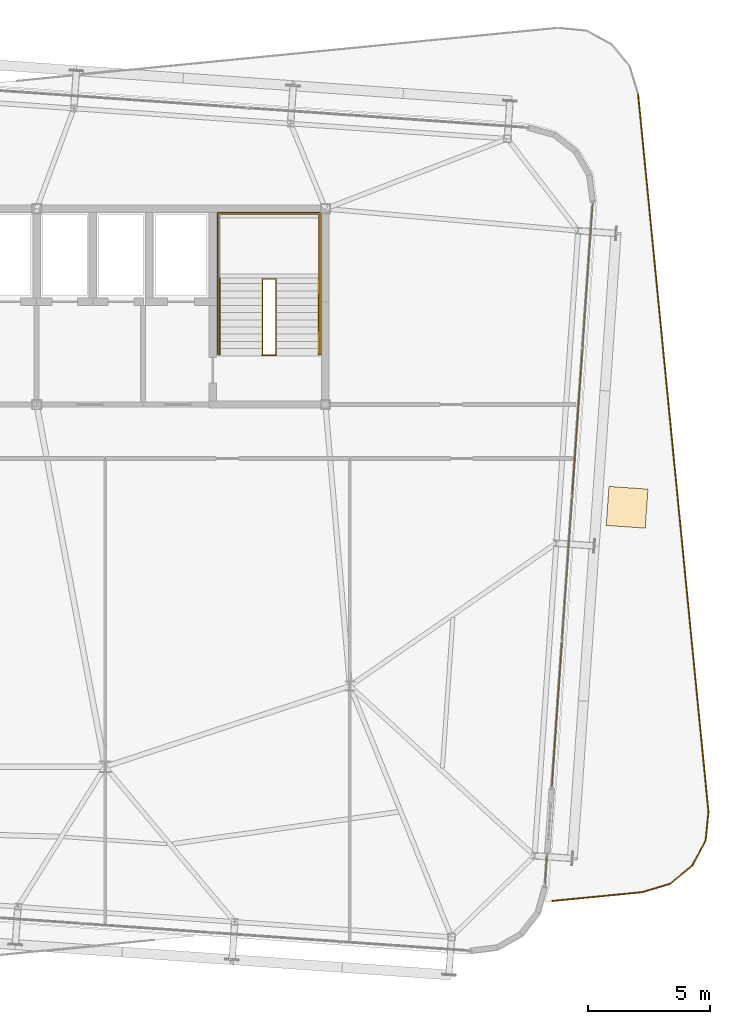
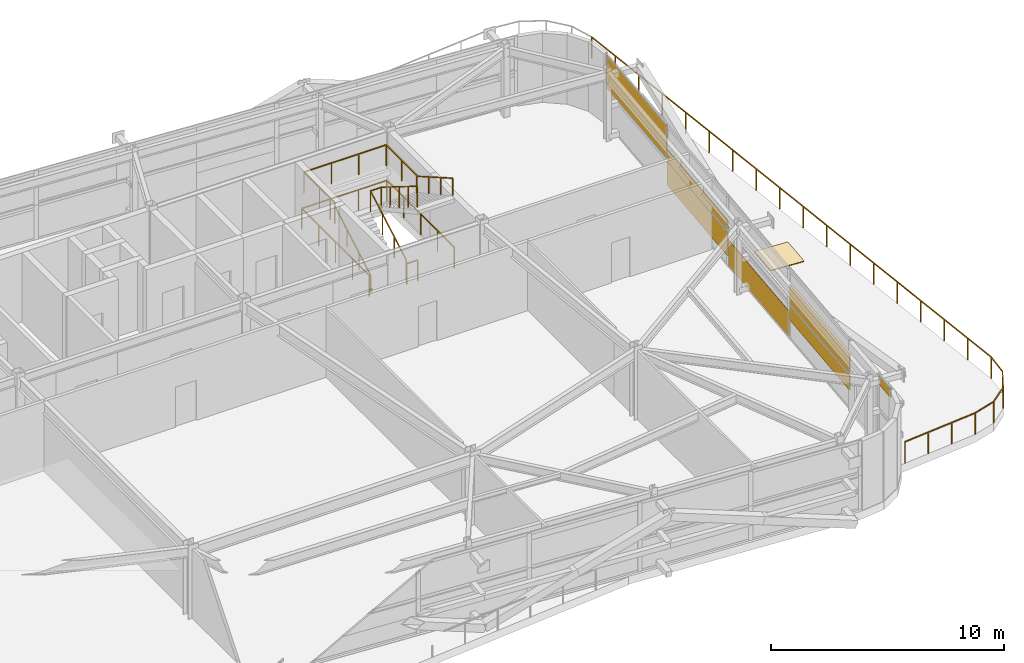
# One storey, part 35 of 36: 12 railings, 8 coverings.
"""IFC4 building model written with IfcOpenShell, lengths in metres."""

from ifc_helpers import new_model, si_unit, direction, frame, origin, origin_2d, place, context, subcontext, project, spatial, rectangle, extrude, source, transform, mapped, material, layer, layer_set, type_object, element, save


model = new_model("IFC4")

# Units and contexts
model_context = context("Model", 3, precision=1e-05, world=origin(), true_north=direction((0.0, 1.0)))
body_context = subcontext(model_context, "Body", "Model", "MODEL_VIEW")
ifc_project = project(units=[si_unit("LENGTHUNIT", "METRE"), si_unit("AREAUNIT", "SQUARE_METRE"), si_unit("VOLUMEUNIT", "CUBIC_METRE"), si_unit("PLANEANGLEUNIT", "RADIAN"), si_unit("MASSUNIT", "GRAM", prefix="KILO")], contexts=[model_context])

# Site, building, storey
site_placement = place(None, origin())
site = spatial("IfcSite", under=ifc_project, at=site_placement, CompositionType="ELEMENT")
building_placement = place(site_placement, origin())
building = spatial("IfcBuilding", under=site, at=building_placement, Name="Taldren Reach Tower", CompositionType="ELEMENT")
storey_placement = place(building_placement, frame((0.0, 0.0, 116.550048828125)))
storey = spatial("IfcBuildingStorey", under=building, at=storey_placement, Name="L35", CompositionType="ELEMENT", Elevation=116.550048828125)

# Railings
ifc_material_1 = material(Name="Steel Gr 350 (C350L0)", Category="steel")
ifc_layer_1 = layer(ifc_material_1, 0.050048828125)
ifc_layer_set_1 = layer_set([ifc_layer_1], Name="Steel Gr 350 (C350L0)")
railing_type_1 = type_object("IfcRailingType", Name="RL-STAIR-GR", PredefinedType="GUARDRAIL", material=ifc_layer_set_1)
railing_1_placement = place(storey_placement, frame((46.659912109375, 29.135009765625, 1.925048828125)))
element("IfcRailing", 1, at=railing_1_placement, inside=storey, type_object=railing_type_1, Name="Stair half-landing perimeter guard ST2-L35", PredefinedType="GUARDRAIL", context=body_context, shape_type="SweptSolid", body=[
    extrude(rectangle(XDim=0.047852, YDim=0.047852, at=origin_2d()), frame((0.0, 0.0, 1.09619140625), z_axis=(0.0, 1.0, 0.0), x_axis=(-1.0, 0.0, 0.0)), (0.0, 0.0, 1.0), 2.64501953125),
    extrude(rectangle(XDim=0.047852, YDim=0.047852, at=origin_2d()), frame((0.0, 2.64501953125, 1.09619140625), z_axis=(1.0, 0.0, 0.0), x_axis=(0.0, 1.0, 0.0)), (0.0, 0.0, 1.0), 4.080078125),
    extrude(rectangle(XDim=0.047852, YDim=0.047852, at=origin_2d()), frame((4.080078125, 2.64501953125, 1.09619140625), z_axis=(0.0, -1.0, 0.0), x_axis=(1.0, 0.0, 0.0)), (0.0, 0.0, 1.0), 2.64501953125),
    extrude(rectangle(XDim=0.041992, YDim=0.041992, at=origin_2d()), origin(), (0.0, 0.0, 1.0), 1.072021484375),
    extrude(rectangle(XDim=0.041992, YDim=0.041992, at=origin_2d()), frame((0.0, 1.322509765625, 0.0)), (0.0, 0.0, 1.0), 1.072021484375),
    extrude(rectangle(XDim=0.041992, YDim=0.041992, at=origin_2d()), frame((0.0, 2.64501953125, 0.0)), (0.0, 0.0, 1.0), 1.072021484375),
    extrude(rectangle(XDim=0.041992, YDim=0.041992, at=origin_2d()), frame((1.360107421875, 2.64501953125, 0.0)), (0.0, 0.0, 1.0), 1.072021484375),
    extrude(rectangle(XDim=0.041992, YDim=0.041992, at=origin_2d()), frame((2.719970703125, 2.64501953125, 0.0)), (0.0, 0.0, 1.0), 1.072021484375),
    extrude(rectangle(XDim=0.041992, YDim=0.041992, at=origin_2d()), frame((4.080078125, 2.64501953125, 0.0)), (0.0, 0.0, 1.0), 1.072021484375),
    extrude(rectangle(XDim=0.041992, YDim=0.041992, at=origin_2d()), frame((4.080078125, 1.322509765625, 0.0)), (0.0, 0.0, 1.0), 1.072021484375),
    extrude(rectangle(XDim=0.041992, YDim=0.041992, at=origin_2d()), frame((4.080078125, 0.0, 0.0)), (0.0, 0.0, 1.0), 1.072021484375),
])
railing_2_placement = place(storey_placement, frame((48.429931640625, 26.050048828125, 0.160400390625)))
element("IfcRailing", 2, at=railing_2_placement, inside=storey, type_object=railing_type_1, Name="Stairwell inner guard ST2-L35", PredefinedType="GUARDRAIL", context=body_context, shape_type="SweptSolid", body=[
    extrude(rectangle(XDim=0.047852, YDim=0.047852, at=origin_2d()), frame((0.0, 0.0, 1.09619140625), z_axis=(0.0, 0.868023234622, 0.496523578652), x_axis=(-1.0, 0.0, 0.0)), (0.0, 0.0, 1.0), 3.553955078125),
    extrude(rectangle(XDim=0.047852, YDim=0.047852, at=origin_2d()), frame((0.0, 3.0849609375, 2.86083984375), z_axis=(1.0, 0.0, 0.0), x_axis=(0.0, 1.0, 0.0)), (0.0, 0.0, 1.0), 0.5400390625),
    extrude(rectangle(XDim=0.047852, YDim=0.047852, at=origin_2d()), frame((0.5400390625, 3.0849609375, 2.86083984375), z_axis=(0.0, -0.848405431508, 0.529346978633), x_axis=(1.0, 0.0, 0.0)), (0.0, 0.0, 1.0), 3.63623046875),
    extrude(rectangle(XDim=0.041992, YDim=0.041992, at=origin_2d()), origin(), (0.0, 0.0, 1.0), 1.072021484375),
    extrude(rectangle(XDim=0.041992, YDim=0.041992, at=origin_2d()), frame((0.0, 1.0283203125, 0.588134765625)), (0.0, 0.0, 1.0), 1.072021484375),
    extrude(rectangle(XDim=0.041992, YDim=0.041992, at=origin_2d()), frame((0.0, 2.056640625, 1.176513671875)), (0.0, 0.0, 1.0), 1.072021484375),
    extrude(rectangle(XDim=0.041992, YDim=0.041992, at=origin_2d()), frame((0.0, 3.0849609375, 1.7646484375)), (0.0, 0.0, 1.0), 1.072021484375),
    extrude(rectangle(XDim=0.041992, YDim=0.041992, at=origin_2d()), frame((0.5400390625, 3.0849609375, 1.7646484375)), (0.0, 0.0, 1.0), 1.072021484375),
    extrude(rectangle(XDim=0.041992, YDim=0.041992, at=origin_2d()), frame((0.5400390625, 2.313720703125, 2.245849609375)), (0.0, 0.0, 1.0), 1.072021484375),
    extrude(rectangle(XDim=0.041992, YDim=0.041992, at=origin_2d()), frame((0.5400390625, 1.54248046875, 2.72705078125)), (0.0, 0.0, 1.0), 1.072021484375),
    extrude(rectangle(XDim=0.041992, YDim=0.041992, at=origin_2d()), frame((0.5400390625, 0.771240234375, 3.208251953125)), (0.0, 0.0, 1.0), 1.072021484375),
    extrude(rectangle(XDim=0.041992, YDim=0.041992, at=origin_2d()), frame((0.5400390625, 0.0, 3.689453125)), (0.0, 0.0, 1.0), 1.072021484375),
])
railing_3_placement = place(storey_placement, frame((48.429931640625, 26.010009765625, 0.0)))
element("IfcRailing", 3, at=railing_3_placement, inside=storey, type_object=railing_type_1, Name="Stairwell landing slot guard ST2-L35", PredefinedType="GUARDRAIL", context=body_context, shape_type="SweptSolid", body=[
    extrude(rectangle(XDim=0.047852, YDim=0.047852, at=origin_2d()), frame((0.0, 0.0, 1.09619140625), z_axis=(1.0, 0.0, 0.0), x_axis=(0.0, 1.0, 0.0)), (0.0, 0.0, 1.0), 0.5400390625),
    extrude(rectangle(XDim=0.041992, YDim=0.041992, at=origin_2d()), origin(), (0.0, 0.0, 1.0), 1.072021484375),
    extrude(rectangle(XDim=0.041992, YDim=0.041992, at=origin_2d()), frame((0.5400390625, 0.0, 0.0)), (0.0, 0.0, 1.0), 1.072021484375),
])
railing_4_placement = place(storey_placement, frame((46.590087890625, 26.050048828125, 0.0)))
element("IfcRailing", 4, at=railing_4_placement, inside=storey, type_object=railing_type_1, Name="Stairwell floor opening guard ST2-L35", PredefinedType="GUARDRAIL", context=body_context, shape_type="SweptSolid", body=[
    extrude(rectangle(XDim=0.047852, YDim=0.047852, at=origin_2d()), frame((0.0, 0.0, 1.09619140625), z_axis=(0.0, 1.0, 0.0), x_axis=(-1.0, 0.0, 0.0)), (0.0, 0.0, 1.0), 5.800048828125),
    extrude(rectangle(XDim=0.047852, YDim=0.047852, at=origin_2d()), frame((0.0, 5.800048828125, 1.09619140625), z_axis=(1.0, 0.0, 0.0), x_axis=(0.0, 1.0, 0.0)), (0.0, 0.0, 1.0), 4.219970703125),
    extrude(rectangle(XDim=0.047852, YDim=0.047852, at=origin_2d()), frame((4.219970703125, 5.800048828125, 1.09619140625), z_axis=(0.0, -1.0, 0.0), x_axis=(1.0, 0.0, 0.0)), (0.0, 0.0, 1.0), 5.800048828125),
    extrude(rectangle(XDim=0.041992, YDim=0.041992, at=origin_2d()), origin(), (0.0, 0.0, 1.0), 1.072021484375),
    extrude(rectangle(XDim=0.041992, YDim=0.041992, at=origin_2d()), frame((0.0, 1.449951171875, 0.0)), (0.0, 0.0, 1.0), 1.072021484375),
    extrude(rectangle(XDim=0.041992, YDim=0.041992, at=origin_2d()), frame((0.0, 2.89990234375, 0.0)), (0.0, 0.0, 1.0), 1.072021484375),
    extrude(rectangle(XDim=0.041992, YDim=0.041992, at=origin_2d()), frame((0.0, 4.35009765625, 0.0)), (0.0, 0.0, 1.0), 1.072021484375),
    extrude(rectangle(XDim=0.041992, YDim=0.041992, at=origin_2d()), frame((0.0, 5.800048828125, 0.0)), (0.0, 0.0, 1.0), 1.072021484375),
    extrude(rectangle(XDim=0.041992, YDim=0.041992, at=origin_2d()), frame((1.40673828125, 5.800048828125, 0.0)), (0.0, 0.0, 1.0), 1.072021484375),
    extrude(rectangle(XDim=0.041992, YDim=0.041992, at=origin_2d()), frame((2.813232421875, 5.800048828125, 0.0)), (0.0, 0.0, 1.0), 1.072021484375),
    extrude(rectangle(XDim=0.041992, YDim=0.041992, at=origin_2d()), frame((4.219970703125, 5.800048828125, 0.0)), (0.0, 0.0, 1.0), 1.072021484375),
    extrude(rectangle(XDim=0.041992, YDim=0.041992, at=origin_2d()), frame((4.219970703125, 4.35009765625, 0.0)), (0.0, 0.0, 1.0), 1.072021484375),
    extrude(rectangle(XDim=0.041992, YDim=0.041992, at=origin_2d()), frame((4.219970703125, 2.89990234375, 0.0)), (0.0, 0.0, 1.0), 1.072021484375),
    extrude(rectangle(XDim=0.041992, YDim=0.041992, at=origin_2d()), frame((4.219970703125, 1.449951171875, 0.0)), (0.0, 0.0, 1.0), 1.072021484375),
    extrude(rectangle(XDim=0.041992, YDim=0.041992, at=origin_2d()), frame((4.219970703125, 0.0, 0.0)), (0.0, 0.0, 1.0), 1.072021484375),
])
ifc_material_2 = material(Name="Stainless Steel Gr 316", Category="steel")
ifc_layer_2 = layer(ifc_material_2, 0.048095703125)
ifc_layer_set_2 = layer_set([ifc_layer_2], Name="Stainless Steel Gr 316")
railing_type_2 = type_object("IfcRailingType", Name="RL-STAIR-HR", PredefinedType="HANDRAIL", material=ifc_layer_set_2)
railing_5_placement = place(storey_placement, frame((46.669921875, 26.050048828125, 0.160400390625)))
element("IfcRailing", 5, at=railing_5_placement, inside=storey, type_object=railing_type_2, Name="Stair flight handrail ST2-L35-1", PredefinedType="HANDRAIL", context=body_context, shape_type="SweptSolid", body=[
    extrude(rectangle(XDim=0.047852, YDim=0.047852, at=origin_2d()), frame((0.0, 0.0, 0.89599609375), z_axis=(0.0, 0.868023234622, 0.496523578652), x_axis=(-1.0, 0.0, 0.0)), (0.0, 0.0, 1.0), 3.553955078125),
    extrude(rectangle(XDim=0.041992, YDim=0.041992, at=origin_2d()), origin(), (0.0, 0.0, 1.0), 0.871826171875),
    extrude(rectangle(XDim=0.041992, YDim=0.041992, at=origin_2d()), frame((0.0, 1.0283203125, 0.588134765625)), (0.0, 0.0, 1.0), 0.871826171875),
    extrude(rectangle(XDim=0.041992, YDim=0.041992, at=origin_2d()), frame((0.0, 2.056640625, 1.176513671875)), (0.0, 0.0, 1.0), 0.871826171875),
    extrude(rectangle(XDim=0.041992, YDim=0.041992, at=origin_2d()), frame((0.0, 3.0849609375, 1.7646484375)), (0.0, 0.0, 1.0), 0.871826171875),
])
railing_6_placement = place(storey_placement, frame((50.72998046875, 29.135009765625, 2.08544921875)))
element("IfcRailing", 6, at=railing_6_placement, inside=storey, type_object=railing_type_2, Name="Stair flight handrail ST2-L35-2", PredefinedType="HANDRAIL", context=body_context, shape_type="SweptSolid", body=[
    extrude(rectangle(XDim=0.047852, YDim=0.047852, at=origin_2d()), frame((0.0, 0.0, 0.89599609375), z_axis=(0.0, -0.86805284099, 0.496471817176), x_axis=(1.0, 0.0, 0.0)), (0.0, 0.0, 1.0), 3.553955078125),
    extrude(rectangle(XDim=0.041992, YDim=0.041992, at=origin_2d()), origin(), (0.0, 0.0, 1.0), 0.871826171875),
    extrude(rectangle(XDim=0.041992, YDim=0.041992, at=origin_2d()), frame((0.0, -1.0283203125, 0.588134765625)), (0.0, 0.0, 1.0), 0.871826171875),
    extrude(rectangle(XDim=0.041992, YDim=0.041992, at=origin_2d()), frame((0.0, -2.056640625, 1.17626953125)), (0.0, 0.0, 1.0), 0.871826171875),
    extrude(rectangle(XDim=0.041992, YDim=0.041992, at=origin_2d()), frame((0.0, -3.0849609375, 1.764404296875)), (0.0, 0.0, 1.0), 0.871826171875),
])
ifc_material_3 = material(Name="Laminated Glass and Pale-Anodised Aluminium Balustrade", Category="aluminium")
ifc_layer_3 = layer(ifc_material_3, 0.070068359375)
ifc_layer_set_3 = layer_set([ifc_layer_3], Name="Laminated Glass and Pale-Anodised Aluminium Balustrade")
railing_type_3 = type_object("IfcRailingType", Name="RL-TERR-1150", PredefinedType="GUARDRAIL", material=ifc_layer_set_3)
railing_7_placement = place(storey_placement, frame((63.777099609375, 36.7119140625, 0.0)))
element("IfcRailing", 7, at=railing_7_placement, inside=storey, type_object=railing_type_3, Name="Outdoor terrace guardrail TERR-L35-1-04", PredefinedType="GUARDRAIL", context=body_context, shape_type="SweptSolid", body=[
    extrude(rectangle(XDim=0.047852, YDim=0.047852, at=origin_2d()), frame((0.0, 0.0, 1.1259765625), z_axis=(0.09758203215, -0.995227485051, 0.0), x_axis=(0.995227485051, 0.09758203215, 0.0)), (0.0, 0.0, 1.0), 29.5),
    extrude(rectangle(XDim=0.041992, YDim=0.041992, at=origin_2d()), origin(), (0.0, 0.0, 1.0), 1.101806640625),
    extrude(rectangle(XDim=0.041992, YDim=0.041992, at=origin_2d()), frame((0.16943359375, -1.72705078125, 0.0)), (0.0, 0.0, 1.0), 1.101806640625),
    extrude(rectangle(XDim=0.041992, YDim=0.041992, at=origin_2d()), frame((0.338623046875, -3.4541015625, 0.0)), (0.0, 0.0, 1.0), 1.101806640625),
    extrude(rectangle(XDim=0.041992, YDim=0.041992, at=origin_2d()), frame((0.508056640625, -5.180908203125, 0.0)), (0.0, 0.0, 1.0), 1.101806640625),
    extrude(rectangle(XDim=0.041992, YDim=0.041992, at=origin_2d()), frame((0.67724609375, -6.907958984375, 0.0)), (0.0, 0.0, 1.0), 1.101806640625),
    extrude(rectangle(XDim=0.041992, YDim=0.041992, at=origin_2d()), frame((0.8466796875, -8.635009765625, 0.0)), (0.0, 0.0, 1.0), 1.101806640625),
    extrude(rectangle(XDim=0.041992, YDim=0.041992, at=origin_2d()), frame((1.01611328125, -10.362060546875, 0.0)), (0.0, 0.0, 1.0), 1.101806640625),
    extrude(rectangle(XDim=0.041992, YDim=0.041992, at=origin_2d()), frame((1.185302734375, -12.089111328125, 0.0)), (0.0, 0.0, 1.0), 1.101806640625),
    extrude(rectangle(XDim=0.041992, YDim=0.041992, at=origin_2d()), frame((1.354736328125, -13.816162109375, 0.0)), (0.0, 0.0, 1.0), 1.101806640625),
    extrude(rectangle(XDim=0.041992, YDim=0.041992, at=origin_2d()), frame((1.52392578125, -15.54296875, 0.0)), (0.0, 0.0, 1.0), 1.101806640625),
    extrude(rectangle(XDim=0.041992, YDim=0.041992, at=origin_2d()), frame((1.693359375, -17.27001953125, 0.0)), (0.0, 0.0, 1.0), 1.101806640625),
    extrude(rectangle(XDim=0.041992, YDim=0.041992, at=origin_2d()), frame((1.862548828125, -18.9970703125, 0.0)), (0.0, 0.0, 1.0), 1.101806640625),
    extrude(rectangle(XDim=0.041992, YDim=0.041992, at=origin_2d()), frame((2.031982421875, -20.72412109375, 0.0)), (0.0, 0.0, 1.0), 1.101806640625),
    extrude(rectangle(XDim=0.041992, YDim=0.041992, at=origin_2d()), frame((2.201416015625, -22.451171875, 0.0)), (0.0, 0.0, 1.0), 1.101806640625),
    extrude(rectangle(XDim=0.041992, YDim=0.041992, at=origin_2d()), frame((2.37060546875, -24.17822265625, 0.0)), (0.0, 0.0, 1.0), 1.101806640625),
    extrude(rectangle(XDim=0.041992, YDim=0.041992, at=origin_2d()), frame((2.5400390625, -25.905029296875, 0.0)), (0.0, 0.0, 1.0), 1.101806640625),
    extrude(rectangle(XDim=0.041992, YDim=0.041992, at=origin_2d()), frame((2.709228515625, -27.632080078125, 0.0)), (0.0, 0.0, 1.0), 1.101806640625),
    extrude(rectangle(XDim=0.041992, YDim=0.041992, at=origin_2d()), frame((2.878662109375, -29.359130859375, 0.0)), (0.0, 0.0, 1.0), 1.101806640625),
])
railing_8_placement = place(storey_placement, frame((66.65576171875, 7.352783203125, 0.0)))
element("IfcRailing", 8, at=railing_8_placement, inside=storey, type_object=railing_type_3, Name="Outdoor terrace guardrail TERR-L35-1-05", PredefinedType="GUARDRAIL", context=body_context, shape_type="SweptSolid", body=[
    extrude(rectangle(XDim=0.047852, YDim=0.047852, at=origin_2d()), frame((0.0, 0.0, 1.1259765625), z_axis=(-0.098450430365, -0.995141956085, 0.0), x_axis=(0.995141956085, -0.098450430365, 0.0)), (0.0, 0.0, 1.0), 1.17041015625),
    extrude(rectangle(XDim=0.041992, YDim=0.041992, at=origin_2d()), origin(), (0.0, 0.0, 1.0), 1.101806640625),
    extrude(rectangle(XDim=0.041992, YDim=0.041992, at=origin_2d()), frame((-0.115234375, -1.164794921875, 0.0)), (0.0, 0.0, 1.0), 1.101806640625),
])
railing_9_placement = place(storey_placement, frame((66.54052734375, 6.18798828125, 0.0)))
element("IfcRailing", 9, at=railing_9_placement, inside=storey, type_object=railing_type_3, Name="Outdoor terrace guardrail TERR-L35-1-06", PredefinedType="GUARDRAIL", context=body_context, shape_type="SweptSolid", body=[
    extrude(rectangle(XDim=0.047852, YDim=0.047852, at=origin_2d()), frame((0.0, 0.0, 1.1259765625), z_axis=(-0.471735211351, -0.881740262419, 0.0), x_axis=(0.881740262419, -0.471735211351, 0.0)), (0.0, 0.0, 1.0), 1.170654296875),
    extrude(rectangle(XDim=0.041992, YDim=0.041992, at=origin_2d()), origin(), (0.0, 0.0, 1.0), 1.101806640625),
    extrude(rectangle(XDim=0.041992, YDim=0.041992, at=origin_2d()), frame((-0.55224609375, -1.0322265625, 0.0)), (0.0, 0.0, 1.0), 1.101806640625),
])
railing_10_placement = place(storey_placement, frame((65.98828125, 5.15576171875, 0.0)))
element("IfcRailing", 10, at=railing_10_placement, inside=storey, type_object=railing_type_3, Name="Outdoor terrace guardrail TERR-L35-1-07", PredefinedType="GUARDRAIL", context=body_context, shape_type="SweptSolid", body=[
    extrude(rectangle(XDim=0.047852, YDim=0.047852, at=origin_2d()), frame((0.0, 0.0, 1.1259765625), z_axis=(-0.773325051659, -0.63400975109, 0.0), x_axis=(0.63400975109, -0.773325051659, 0.0)), (0.0, 0.0, 1.0), 1.170654296875),
    extrude(rectangle(XDim=0.041992, YDim=0.041992, at=origin_2d()), origin(), (0.0, 0.0, 1.0), 1.101806640625),
    extrude(rectangle(XDim=0.041992, YDim=0.041992, at=origin_2d()), frame((-0.9052734375, -0.7421875, 0.0)), (0.0, 0.0, 1.0), 1.101806640625),
])
railing_11_placement = place(storey_placement, frame((65.0830078125, 4.41357421875, 0.0)))
element("IfcRailing", 11, at=railing_11_placement, inside=storey, type_object=railing_type_3, Name="Outdoor terrace guardrail TERR-L35-1-08", PredefinedType="GUARDRAIL", context=body_context, shape_type="SweptSolid", body=[
    extrude(rectangle(XDim=0.047852, YDim=0.047852, at=origin_2d()), frame((0.0, 0.0, 1.1259765625), z_axis=(-0.957041946565, -0.28994949994, 0.0), x_axis=(0.28994949994, -0.957041946565, 0.0)), (0.0, 0.0, 1.0), 1.17041015625),
    extrude(rectangle(XDim=0.041992, YDim=0.041992, at=origin_2d()), origin(), (0.0, 0.0, 1.0), 1.101806640625),
    extrude(rectangle(XDim=0.041992, YDim=0.041992, at=origin_2d()), frame((-1.1201171875, -0.33935546875, 0.0)), (0.0, 0.0, 1.0), 1.101806640625),
])
railing_12_placement = place(storey_placement, frame((63.962890625, 4.07421875, 0.0)))
element("IfcRailing", 12, at=railing_12_placement, inside=storey, type_object=railing_type_3, Name="Outdoor terrace guardrail TERR-L35-1-09", PredefinedType="GUARDRAIL", context=body_context, shape_type="SweptSolid", body=[
    extrude(rectangle(XDim=0.047852, YDim=0.047852, at=origin_2d()), frame((0.0, 0.0, 1.1259765625), z_axis=(-0.995231661745, -0.097539425163, 0.0), x_axis=(0.097539425163, -0.995231661745, 0.0)), (0.0, 0.0, 1.0), 3.704345703125),
    extrude(rectangle(XDim=0.041992, YDim=0.041992, at=origin_2d()), origin(), (0.0, 0.0, 1.0), 1.101806640625),
    extrude(rectangle(XDim=0.041992, YDim=0.041992, at=origin_2d()), frame((-1.22900390625, -0.120361328125, 0.0)), (0.0, 0.0, 1.0), 1.101806640625),
    extrude(rectangle(XDim=0.041992, YDim=0.041992, at=origin_2d()), frame((-2.457763671875, -0.240966796875, 0.0)), (0.0, 0.0, 1.0), 1.101806640625),
    extrude(rectangle(XDim=0.041992, YDim=0.041992, at=origin_2d()), frame((-3.686767578125, -0.361328125, 0.0)), (0.0, 0.0, 1.0), 1.101806640625),
])

# Coverings
ifc_material_4 = material(Name="SBS Modified Bitumen Waterproofing and Ballast Membrane")
ifc_layer_4 = layer(ifc_material_4, 0.080078125)
ifc_layer_set_4 = layer_set([ifc_layer_4], Name="SBS Modified Bitumen Waterproofing and Ballast Membrane")
covering_type_1 = type_object("IfcCoveringType", Name="CV-ROOF-080", PredefinedType="ROOFING", material=ifc_layer_set_4)
shared_shape_1 = source(origin(), body_context, "Body", "SweptSolid", [
    extrude(rectangle(XDim=1.60009765625, YDim=1.60009765625, at=origin_2d()), origin(), (0.0, 0.0, 1.0), 0.0400390625),
])
covering_1_placement = place(storey_placement, frame((63.328857421875, 19.801513671875, 0.0), z_axis=(0.0, 0.0, 1.0), x_axis=(0.99756405026, -0.069756473744, 0.0)))
element("IfcCovering", 13, at=covering_1_placement, inside=storey, type_object=covering_type_1, Name="Terrace waterproofing layer L35-1", PredefinedType="ROOFING", context=body_context, shape_type="MappedRepresentation", body=[
    mapped(shared_shape_1, transform((0.0, 0.0, 0.0), scale=1.0)),
])
ifc_material_5 = material(Name="Pale Champagne Fluoropolymer Aluminium Spandrel Cladding", Category="aluminium")
ifc_layer_5 = layer(ifc_material_5, 0.0439453125)
ifc_layer_set_5 = layer_set([ifc_layer_5], Name="Pale Champagne Fluoropolymer Aluminium Spandrel Cladding")
covering_type_2 = type_object("IfcCoveringType", Name="CV-CLAD-044", PredefinedType="CLADDING", material=ifc_layer_set_5)
shared_shape_2 = source(origin(), body_context, "Body", "SweptSolid", [
    extrude(rectangle(XDim=1.159912109375, YDim=0.0439453125, at=origin_2d()), origin(), (0.0, 0.0, 1.0), 0.444580078125),
])
covering_2_placement = place(storey_placement, frame((60.01611328125, 4.983642578125, 3.12548828125), z_axis=(0.0, 0.0, 1.0), x_axis=(0.069755670707, 0.997564106413, 0.0)))
element("IfcCovering", 14, at=covering_2_placement, inside=storey, type_object=covering_type_2, Name="Diagrid closure cladding strip CW-7 panel 1.1 1", PredefinedType="CLADDING", context=body_context, shape_type="MappedRepresentation", body=[
    mapped(shared_shape_2, transform((0.0, 0.0, 0.0), scale=1.0)),
])
shared_shape_3 = source(origin(), body_context, "Body", "SweptSolid", [
    extrude(rectangle(XDim=5.885009765625, YDim=0.0439453125, at=origin_2d()), origin(), (0.0, 0.0, 1.0), 0.765625),
])
covering_3_placement = place(storey_placement, frame((60.460693359375, 11.340576171875, 0.9892578125), z_axis=(0.0, 0.0, 1.0), x_axis=(0.069756569329, 0.997564043576, 0.0)))
element("IfcCovering", 15, at=covering_3_placement, inside=storey, type_object=covering_type_2, Name="Diagrid closure cladding strip CW-7 panel 1.1 1", PredefinedType="CLADDING", context=body_context, shape_type="MappedRepresentation", body=[
    mapped(shared_shape_3, transform((0.0, 0.0, 0.0), scale=1.0)),
])
shared_shape_4 = source(origin(), body_context, "Body", "SweptSolid", [
    extrude(rectangle(XDim=5.922607421875, YDim=0.0439453125, at=origin_2d()), origin(), (0.0, 0.0, 1.0), 1.34326171875),
])
covering_4_placement = place(storey_placement, frame((60.877685546875, 17.3046875, 0.059814453125), z_axis=(0.0, 0.0, 1.0), x_axis=(0.069756569329, 0.997564043576, 0.0)))
element("IfcCovering", 16, at=covering_4_placement, inside=storey, type_object=covering_type_2, Name="Diagrid closure cladding strip CW-7 panel 2.1 1", PredefinedType="CLADDING", context=body_context, shape_type="MappedRepresentation", body=[
    mapped(shared_shape_4, transform((0.0, 0.0, 0.0), scale=1.0)),
])
shared_shape_5 = source(origin(), body_context, "Body", "SweptSolid", [
    extrude(rectangle(XDim=5.922607421875, YDim=0.0439453125, at=origin_2d()), origin(), (0.0, 0.0, 1.0), 1.25146484375),
])
covering_5_placement = place(storey_placement, frame((61.296142578125, 23.28759765625, 0.50341796875), z_axis=(0.0, 0.0, 1.0), x_axis=(0.069756569329, 0.997564043576, 0.0)))
element("IfcCovering", 17, at=covering_5_placement, inside=storey, type_object=covering_type_2, Name="Diagrid closure cladding strip CW-7 panel 3.1 1", PredefinedType="CLADDING", context=body_context, shape_type="MappedRepresentation", body=[
    mapped(shared_shape_5, transform((0.0, 0.0, 0.0), scale=1.0)),
])
shared_shape_6 = source(origin(), body_context, "Body", "SweptSolid", [
    extrude(rectangle(XDim=5.885009765625, YDim=0.0439453125, at=origin_2d()), origin(), (0.0, 0.0, 1.0), 0.985595703125),
])
covering_6_placement = place(storey_placement, frame((60.460693359375, 11.340576171875, 1.875), z_axis=(0.0, 0.0, 1.0), x_axis=(0.069756569329, 0.997564043576, 0.0)))
element("IfcCovering", 18, at=covering_6_placement, inside=storey, type_object=covering_type_2, Name="Diagrid closure cladding strip CW-7 panel 1.1 1", PredefinedType="CLADDING", context=body_context, shape_type="MappedRepresentation", body=[
    mapped(shared_shape_6, transform((0.0, 0.0, 0.0), scale=1.0)),
])
shared_shape_7 = source(origin(), body_context, "Body", "SweptSolid", [
    extrude(rectangle(XDim=5.922607421875, YDim=0.0439453125, at=origin_2d()), origin(), (0.0, 0.0, 1.0), 0.5087890625),
])
covering_7_placement = place(storey_placement, frame((61.296142578125, 23.28759765625, 1.875), z_axis=(0.0, 0.0, 1.0), x_axis=(0.069756569329, 0.997564043576, 0.0)))
element("IfcCovering", 19, at=covering_7_placement, inside=storey, type_object=covering_type_2, Name="Diagrid closure cladding strip CW-7 panel 3.1 1", PredefinedType="CLADDING", context=body_context, shape_type="MappedRepresentation", body=[
    mapped(shared_shape_7, transform((0.0, 0.0, 0.0), scale=1.0)),
])
shared_shape_8 = source(origin(), body_context, "Body", "SweptSolid", [
    extrude(rectangle(XDim=5.885009765625, YDim=0.0439453125, at=origin_2d()), origin(), (0.0, 0.0, 1.0), 1.695068359375),
])
covering_8_placement = place(storey_placement, frame((61.713134765625, 29.251953125, 1.875), z_axis=(0.0, 0.0, 1.0), x_axis=(0.069756569329, 0.997564043576, 0.0)))
element("IfcCovering", 20, at=covering_8_placement, inside=storey, type_object=covering_type_2, Name="Diagrid closure cladding strip CW-7 panel 4.1 1", PredefinedType="CLADDING", context=body_context, shape_type="MappedRepresentation", body=[
    mapped(shared_shape_8, transform((0.0, 0.0, 0.0), scale=1.0)),
])

save(model, "model.ifc")
